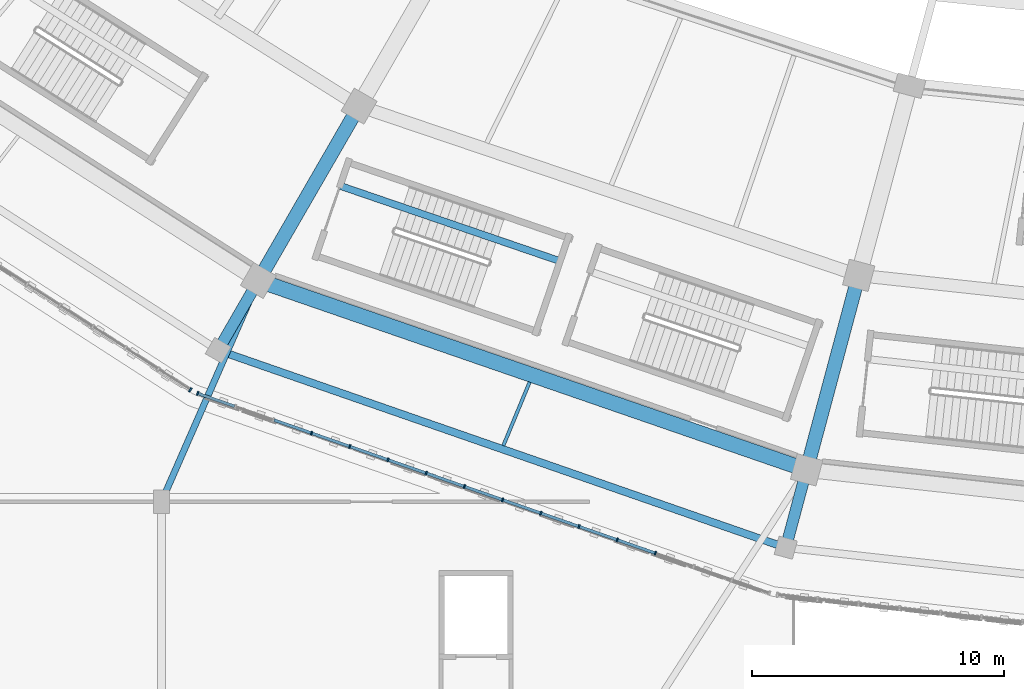
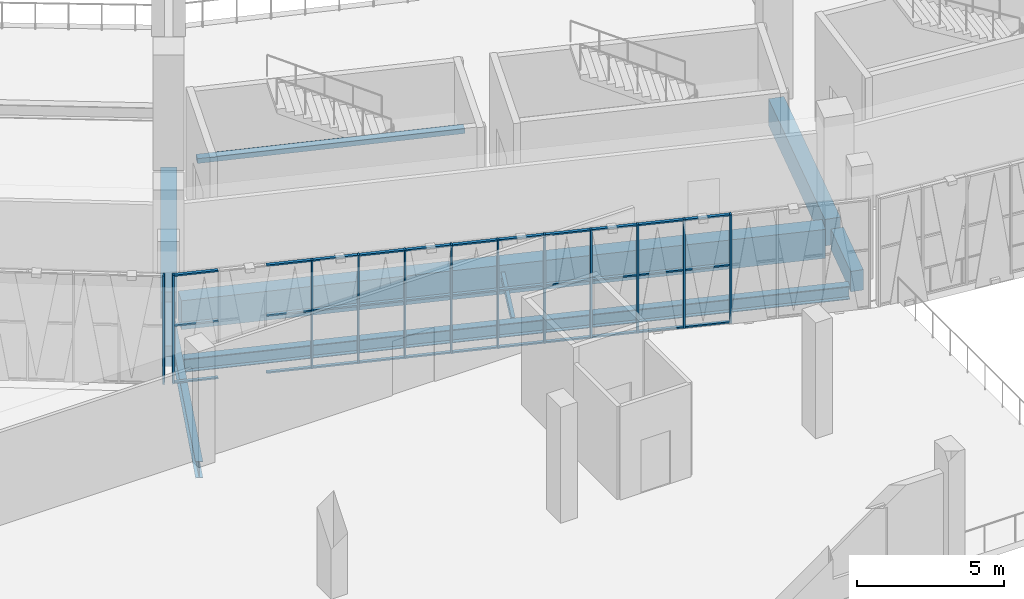
# One storey, part 15 of 179: 45 members, 9 beams, 2 elements without a shape of their own.
"""IFC4 building model written with IfcOpenShell, lengths in metres."""

from ifc_helpers import new_model, si_unit, direction, frame, origin, origin_2d, place, context, subcontext, project, spatial, rectangle, i_section, extrude, material, material_profile, profile_set, type_object, element, aggregate, save


model = new_model("IFC4")

# Units and contexts
model_context = context("Model", 3, precision=1e-05, world=origin(), true_north=direction((0.0, 1.0)))
body_context = subcontext(model_context, "Body", "Model", "MODEL_VIEW")
ifc_project = project(units=[si_unit("LENGTHUNIT", "METRE"), si_unit("AREAUNIT", "SQUARE_METRE"), si_unit("VOLUMEUNIT", "CUBIC_METRE"), si_unit("PLANEANGLEUNIT", "RADIAN"), si_unit("MASSUNIT", "GRAM", prefix="KILO")], contexts=[model_context])

# Site, building, storey
site_placement = place(None, origin())
site = spatial("IfcSite", under=ifc_project, at=site_placement, CompositionType="ELEMENT")
building_placement = place(site_placement, origin())
building = spatial("IfcBuilding", under=site, at=building_placement, Name="Zevraka Park Crest Stadium", CompositionType="ELEMENT")
storey_placement = place(building_placement, frame((0.0, 0.0, 10.199951171875)))
storey = spatial("IfcBuildingStorey", under=building, at=storey_placement, Name="L02", CompositionType="ELEMENT", Elevation=10.199951171875)

# Beams
ifc_material_1 = material(Name="Concrete C40/50", Category="concrete")
ifc_material_profile_1 = material_profile(ifc_material_1, rectangle(XDim=0.550048828125, YDim=1.10009765625, at=origin_2d()), Name="RC 1100x550")
ifc_profile_set_1 = profile_set([ifc_material_profile_1], Name="Concrete C40/50")
beam_type_1 = type_object("IfcBeamType", Name="BG02", PredefinedType="BEAM", material=ifc_profile_set_1)
beam_1_placement = place(storey_placement, frame((70.699951171875, 33.4560546875, -0.56005859375), z_axis=(-0.500031859608, -0.86600700885, 0.0), x_axis=(0.86600700885, -0.500031859608, 0.0)))
element("IfcBeam", 1, at=beam_1_placement, inside=storey, type_object=beam_type_1, Name="Radial Girder BG02 L02-CD-16", PredefinedType="BEAM", context=body_context, shape_type="SweptSolid", body=[
    extrude(rectangle(XDim=0.550048828125, YDim=1.10009765625, at=origin_2d()), origin(), (0.0, 0.0, 1.0), 7.3994140625),
])
beam_2_placement = place(storey_placement, frame((90.62109375, 26.702880859375, -0.56005859375), z_axis=(-0.258697599806, -0.965958359276, 0.0), x_axis=(0.965958359276, -0.258697599806, 0.0)))
element("IfcBeam", 2, at=beam_2_placement, inside=storey, type_object=beam_type_1, Name="Radial Girder BG02 L02-CD-17", PredefinedType="BEAM", context=body_context, shape_type="SweptSolid", body=[
    extrude(rectangle(XDim=0.550048828125, YDim=1.10009765625, at=origin_2d()), origin(), (0.0, 0.0, 1.0), 7.39892578125),
])
ifc_material_2 = material(Name="Concrete C40/50", Category="concrete")
ifc_material_profile_2 = material_profile(ifc_material_2, rectangle(XDim=0.449951171875, YDim=0.85009765625, at=origin_2d()), Name="RC 850x450")
ifc_profile_set_2 = profile_set([ifc_material_profile_2], Name="Concrete C40/50")
beam_type_2 = type_object("IfcBeamType", Name="BG03", PredefinedType="BEAM", material=ifc_profile_set_2)
beam_3_placement = place(storey_placement, frame((66.699951171875, 26.528076171875, -0.43505859375), z_axis=(-0.500128937424, -0.865950948929, 0.0), x_axis=(0.865950948929, -0.500128937424, 0.0)))
element("IfcBeam", 3, at=beam_3_placement, inside=storey, type_object=beam_type_2, Name="Radial Girder BG03 L02-DE-16", PredefinedType="BEAM", context=body_context, shape_type="SweptSolid", body=[
    extrude(rectangle(XDim=0.449951171875, YDim=0.85009765625, at=origin_2d()), origin(), (0.0, 0.0, 1.0), 2.599365234375),
])
beam_4_placement = place(storey_placement, frame((88.551025390625, 18.97607421875, -0.43505859375), z_axis=(-0.258919157159, -0.965898995784, 0.0), x_axis=(0.965898995784, -0.258919157159, 0.0)))
element("IfcBeam", 4, at=beam_4_placement, inside=storey, type_object=beam_type_2, Name="Radial Girder BG03 L02-DE-17", PredefinedType="BEAM", context=body_context, shape_type="SweptSolid", body=[
    extrude(rectangle(XDim=0.449951171875, YDim=0.85009765625, at=origin_2d()), origin(), (0.0, 0.0, 1.0), 2.599609375),
])
ifc_material_3 = material(Name="Steel S355", Category="steel")
ifc_material_profile_3 = material_profile(ifc_material_3, i_section(OverallWidth=0.253662109375, OverallDepth=0.68359375, WebThickness=0.012451171875, FlangeThickness=0.01904296875, at=origin_2d()), Name="UKB 686x254x140")
ifc_profile_set_3 = profile_set([ifc_material_profile_3], Name="Steel S355")
beam_type_3 = type_object("IfcBeamType", Name="BG05", PredefinedType="BEAM", material=ifc_profile_set_3)
beam_5_placement = place(storey_placement, frame((63.080078125, 18.18310546875, -0.629638671875), z_axis=(0.401335913167, 0.915930938883, 0.0), x_axis=(-0.915930938883, 0.401335913167, 0.0)))
element("IfcBeam", 5, at=beam_5_placement, inside=storey, type_object=beam_type_3, Name="Wing Link Girder BG05 L02-8/C", PredefinedType="BEAM", context=body_context, shape_type="SweptSolid", body=[
    extrude(i_section(OverallWidth=0.253662109375, OverallDepth=0.68359375, WebThickness=0.012451171875, FlangeThickness=0.01904296875, at=origin_2d()), origin(), (0.0, 0.0, 1.0), 9.0146484375),
])

# Curtain wall, members
ifc_material_4 = material(Name="Anodised architectural aluminium and laminated safety glass", Category="aluminium")
curtain_wall_type_1 = type_object("IfcCurtainWallType", Name="CW07", PredefinedType="NOTDEFINED", material=ifc_material_4)
curtain_wall_1_placement = place(storey_placement, origin())
curtain_wall_1 = element("IfcCurtainWall", 6, at=curtain_wall_1_placement, inside=storey, type_object=curtain_wall_type_1, Name="Unitised Ring Curtain Wall CW07 L02-16", PredefinedType="NOTDEFINED")
ifc_material_5 = material(Name="Anodised architectural aluminium", Category="aluminium")
ifc_material_profile_4 = material_profile(ifc_material_5, rectangle(XDim=0.159912109375, YDim=0.06005859375, at=origin_2d()), Name="ALU MULLION 160x60")
ifc_profile_set_4 = profile_set([ifc_material_profile_4], Name="Anodised architectural aluminium")
member_type_1 = type_object("IfcMemberType", Name="CM01", PredefinedType="MULLION", material=ifc_profile_set_4)
member_1_placement = place(storey_placement, frame((64.437255859375, 22.30419921875, 0.0), z_axis=(0.0, 0.0, 1.0), x_axis=(0.329618886002, 0.944114076789, 0.0)))
member_1 = element("IfcMember", 7, at=member_1_placement, type_object=member_type_1, Name="CW07 mullion 1", PredefinedType="MULLION", context=body_context, shape_type="SweptSolid", body=[
    extrude(rectangle(XDim=0.159912109375, YDim=0.06005859375, at=origin_2d()), origin(), (0.0, 0.0, 1.0), 4.5),
])
member_2_placement = place(storey_placement, frame((68.962646484375, 20.72412109375, 0.0), z_axis=(0.0, 0.0, 1.0), x_axis=(0.329618886002, 0.944114076789, 0.0)))
member_2 = element("IfcMember", 8, at=member_2_placement, type_object=member_type_1, Name="CW07 mullion 4", PredefinedType="MULLION", context=body_context, shape_type="SweptSolid", body=[
    extrude(rectangle(XDim=0.159912109375, YDim=0.06005859375, at=origin_2d()), origin(), (0.0, 0.0, 1.0), 4.5),
])
member_3_placement = place(storey_placement, frame((70.48046875, 20.1943359375, 0.0), z_axis=(0.0, 0.0, 1.0), x_axis=(0.329618886002, 0.944114076789, 0.0)))
member_3 = element("IfcMember", 9, at=member_3_placement, type_object=member_type_1, Name="CW07 mullion 5", PredefinedType="MULLION", context=body_context, shape_type="SweptSolid", body=[
    extrude(rectangle(XDim=0.159912109375, YDim=0.06005859375, at=origin_2d()), origin(), (0.0, 0.0, 1.0), 4.5),
])
member_4_placement = place(storey_placement, frame((71.998291015625, 19.664306640625, 0.0), z_axis=(0.0, 0.0, 1.0), x_axis=(0.329618886002, 0.944114076789, 0.0)))
member_4 = element("IfcMember", 10, at=member_4_placement, type_object=member_type_1, Name="CW07 mullion 6", PredefinedType="MULLION", context=body_context, shape_type="SweptSolid", body=[
    extrude(rectangle(XDim=0.159912109375, YDim=0.06005859375, at=origin_2d()), origin(), (0.0, 0.0, 1.0), 4.5),
])
member_5_placement = place(storey_placement, frame((73.51611328125, 19.134521484375, 0.0), z_axis=(0.0, 0.0, 1.0), x_axis=(0.329618886002, 0.944114076789, 0.0)))
member_5 = element("IfcMember", 11, at=member_5_placement, type_object=member_type_1, Name="CW07 mullion 7", PredefinedType="MULLION", context=body_context, shape_type="SweptSolid", body=[
    extrude(rectangle(XDim=0.159912109375, YDim=0.06005859375, at=origin_2d()), origin(), (0.0, 0.0, 1.0), 4.5),
])
member_6_placement = place(storey_placement, frame((75.0341796875, 18.6044921875, 0.0), z_axis=(0.0, 0.0, 1.0), x_axis=(0.329618886002, 0.944114076789, 0.0)))
member_6 = element("IfcMember", 12, at=member_6_placement, type_object=member_type_1, Name="CW07 mullion 8", PredefinedType="MULLION", context=body_context, shape_type="SweptSolid", body=[
    extrude(rectangle(XDim=0.159912109375, YDim=0.06005859375, at=origin_2d()), origin(), (0.0, 0.0, 1.0), 4.5),
])
member_7_placement = place(storey_placement, frame((76.552001953125, 18.074462890625, 0.0), z_axis=(0.0, 0.0, 1.0), x_axis=(0.329618886002, 0.944114076789, 0.0)))
member_7 = element("IfcMember", 13, at=member_7_placement, type_object=member_type_1, Name="CW07 mullion 9", PredefinedType="MULLION", context=body_context, shape_type="SweptSolid", body=[
    extrude(rectangle(XDim=0.159912109375, YDim=0.06005859375, at=origin_2d()), origin(), (0.0, 0.0, 1.0), 4.5),
])
member_8_placement = place(storey_placement, frame((78.06982421875, 17.544677734375, 0.0), z_axis=(0.0, 0.0, 1.0), x_axis=(0.329618886002, 0.944114076789, 0.0)))
member_8 = element("IfcMember", 14, at=member_8_placement, type_object=member_type_1, Name="CW07 mullion 10", PredefinedType="MULLION", context=body_context, shape_type="SweptSolid", body=[
    extrude(rectangle(XDim=0.159912109375, YDim=0.06005859375, at=origin_2d()), origin(), (0.0, 0.0, 1.0), 4.5),
])
member_9_placement = place(storey_placement, frame((79.587646484375, 17.0146484375, 0.0), z_axis=(0.0, 0.0, 1.0), x_axis=(0.329618886002, 0.944114076789, 0.0)))
member_9 = element("IfcMember", 15, at=member_9_placement, type_object=member_type_1, Name="CW07 mullion 11", PredefinedType="MULLION", context=body_context, shape_type="SweptSolid", body=[
    extrude(rectangle(XDim=0.159912109375, YDim=0.06005859375, at=origin_2d()), origin(), (0.0, 0.0, 1.0), 4.5),
])
member_10_placement = place(storey_placement, frame((81.10546875, 16.484619140625, 0.0), z_axis=(0.0, 0.0, 1.0), x_axis=(0.329618886002, 0.944114076789, 0.0)))
member_10 = element("IfcMember", 16, at=member_10_placement, type_object=member_type_1, Name="CW07 mullion 12", PredefinedType="MULLION", context=body_context, shape_type="SweptSolid", body=[
    extrude(rectangle(XDim=0.159912109375, YDim=0.06005859375, at=origin_2d()), origin(), (0.0, 0.0, 1.0), 4.5),
])
member_11_placement = place(storey_placement, frame((82.623291015625, 15.954833984375, 0.0), z_axis=(0.0, 0.0, 1.0), x_axis=(0.329618886002, 0.944114076789, 0.0)))
member_11 = element("IfcMember", 17, at=member_11_placement, type_object=member_type_1, Name="CW07 mullion 13", PredefinedType="MULLION", context=body_context, shape_type="SweptSolid", body=[
    extrude(rectangle(XDim=0.159912109375, YDim=0.06005859375, at=origin_2d()), origin(), (0.0, 0.0, 1.0), 4.5),
])

# Curtain wall, member
ifc_material_6 = material(Name="Anodised architectural aluminium and laminated safety glass", Category="aluminium")
curtain_wall_type_2 = type_object("IfcCurtainWallType", Name="CW08", PredefinedType="NOTDEFINED", material=ifc_material_6)
curtain_wall_2_placement = place(storey_placement, origin())
curtain_wall_2 = element("IfcCurtainWall", 18, at=curtain_wall_2_placement, inside=storey, type_object=curtain_wall_type_2, Name="Unitised Ring Curtain Wall CW08 L02-15", PredefinedType="NOTDEFINED")
ifc_material_7 = material(Name="Anodised architectural aluminium", Category="aluminium")
ifc_material_profile_5 = material_profile(ifc_material_7, rectangle(XDim=0.179931640625, YDim=0.06494140625, at=origin_2d()), Name="ALU MULLION 180x65")
ifc_profile_set_5 = profile_set([ifc_material_profile_5], Name="Anodised architectural aluminium")
member_type_2 = type_object("IfcMemberType", Name="CM02", PredefinedType="MULLION", material=ifc_profile_set_5)
member_12_placement = place(storey_placement, frame((64.148681640625, 22.445556640625, 0.0), z_axis=(0.0, 0.0, 1.0), x_axis=(0.543096287444, 0.839670424967, 0.0)))
member_12 = element("IfcMember", 19, at=member_12_placement, type_object=member_type_2, Name="CW08 mullion 16", PredefinedType="MULLION", context=body_context, shape_type="SweptSolid", body=[
    extrude(rectangle(XDim=0.179931640625, YDim=0.06494140625, at=origin_2d()), origin(), (0.0, 0.0, 1.0), 4.5),
])
aggregate(curtain_wall_2, [member_12])

# Member
ifc_material_8 = material(Name="Anodised architectural aluminium", Category="aluminium")
ifc_material_profile_6 = material_profile(ifc_material_8, rectangle(XDim=0.1201171875, YDim=0.06005859375, at=origin_2d()), Name="ALU TRANSOM 120x60")
ifc_profile_set_6 = profile_set([ifc_material_profile_6], Name="Anodised architectural aluminium")
member_type_3 = type_object("IfcMemberType", Name="CT01", PredefinedType="USERDEFINED", material=ifc_profile_set_6)
member_13_placement = place(storey_placement, frame((64.465576171875, 22.294189453125, 0.030029296875), z_axis=(0.944116383241, -0.329612279649, 0.0), x_axis=(0.329612279649, 0.944116383241, 0.0)))
member_13 = element("IfcMember", 20, at=member_13_placement, type_object=member_type_3, Name="CW07 transom 1.1", ObjectType="TRANSOM", PredefinedType="USERDEFINED", context=body_context, shape_type="SweptSolid", body=[
    extrude(rectangle(XDim=0.1201171875, YDim=0.06005859375, at=origin_2d()), origin(), (0.0, 0.0, 1.0), 1.517578125),
])

member_14_placement = place(storey_placement, frame((64.465576171875, 22.294189453125, 2.400146484375), z_axis=(0.944116383241, -0.329612279649, 0.0), x_axis=(0.329612279649, 0.944116383241, 0.0)))
member_14 = element("IfcMember", 21, at=member_14_placement, type_object=member_type_3, Name="CW07 transom 1.2", ObjectType="TRANSOM", PredefinedType="USERDEFINED", context=body_context, shape_type="SweptSolid", body=[
    extrude(rectangle(XDim=0.1201171875, YDim=0.06005859375, at=origin_2d()), origin(), (0.0, 0.0, 1.0), 1.517578125),
])

member_15_placement = place(storey_placement, frame((64.465576171875, 22.294189453125, 4.469970703125), z_axis=(0.944116383241, -0.329612279649, 0.0), x_axis=(0.329612279649, 0.944116383241, 0.0)))
member_15 = element("IfcMember", 22, at=member_15_placement, type_object=member_type_3, Name="CW07 transom 1.3", ObjectType="TRANSOM", PredefinedType="USERDEFINED", context=body_context, shape_type="SweptSolid", body=[
    extrude(rectangle(XDim=0.1201171875, YDim=0.06005859375, at=origin_2d()), origin(), (0.0, 0.0, 1.0), 1.517578125),
])

member_16_placement = place(storey_placement, frame((67.47314453125, 21.244140625, 0.030029296875), z_axis=(0.944140838297, -0.329542224094, 0.0), x_axis=(0.329542224094, 0.944140838297, 0.0)))
member_16 = element("IfcMember", 23, at=member_16_placement, type_object=member_type_3, Name="CW07 transom 3.1", ObjectType="TRANSOM", PredefinedType="USERDEFINED", context=body_context, shape_type="SweptSolid", body=[
    extrude(rectangle(XDim=0.1201171875, YDim=0.06005859375, at=origin_2d()), origin(), (0.0, 0.0, 1.0), 1.547607421875),
])

member_17_placement = place(storey_placement, frame((67.47314453125, 21.244140625, 2.400146484375), z_axis=(0.944140838297, -0.329542224094, 0.0), x_axis=(0.329542224094, 0.944140838297, 0.0)))
member_17 = element("IfcMember", 24, at=member_17_placement, type_object=member_type_3, Name="CW07 transom 3.2", ObjectType="TRANSOM", PredefinedType="USERDEFINED", context=body_context, shape_type="SweptSolid", body=[
    extrude(rectangle(XDim=0.1201171875, YDim=0.06005859375, at=origin_2d()), origin(), (0.0, 0.0, 1.0), 1.547607421875),
])

member_18_placement = place(storey_placement, frame((67.47314453125, 21.244140625, 4.469970703125), z_axis=(0.944140838297, -0.329542224094, 0.0), x_axis=(0.329542224094, 0.944140838297, 0.0)))
member_18 = element("IfcMember", 25, at=member_18_placement, type_object=member_type_3, Name="CW07 transom 3.3", ObjectType="TRANSOM", PredefinedType="USERDEFINED", context=body_context, shape_type="SweptSolid", body=[
    extrude(rectangle(XDim=0.1201171875, YDim=0.06005859375, at=origin_2d()), origin(), (0.0, 0.0, 1.0), 1.547607421875),
])

member_19_placement = place(storey_placement, frame((68.990966796875, 20.71435546875, 0.030029296875), z_axis=(0.944091748578, -0.329682832837, 0.0), x_axis=(0.329682832837, 0.944091748578, 0.0)))
member_19 = element("IfcMember", 26, at=member_19_placement, type_object=member_type_3, Name="CW07 transom 4.1", ObjectType="TRANSOM", PredefinedType="USERDEFINED", context=body_context, shape_type="SweptSolid", body=[
    extrude(rectangle(XDim=0.1201171875, YDim=0.06005859375, at=origin_2d()), origin(), (0.0, 0.0, 1.0), 1.547607421875),
])

member_20_placement = place(storey_placement, frame((68.990966796875, 20.71435546875, 2.400146484375), z_axis=(0.944091748578, -0.329682832837, 0.0), x_axis=(0.329682832837, 0.944091748578, 0.0)))
member_20 = element("IfcMember", 27, at=member_20_placement, type_object=member_type_3, Name="CW07 transom 4.2", ObjectType="TRANSOM", PredefinedType="USERDEFINED", context=body_context, shape_type="SweptSolid", body=[
    extrude(rectangle(XDim=0.1201171875, YDim=0.06005859375, at=origin_2d()), origin(), (0.0, 0.0, 1.0), 1.547607421875),
])

member_21_placement = place(storey_placement, frame((68.990966796875, 20.71435546875, 4.469970703125), z_axis=(0.944091748578, -0.329682832837, 0.0), x_axis=(0.329682832837, 0.944091748578, 0.0)))
member_21 = element("IfcMember", 28, at=member_21_placement, type_object=member_type_3, Name="CW07 transom 4.3", ObjectType="TRANSOM", PredefinedType="USERDEFINED", context=body_context, shape_type="SweptSolid", body=[
    extrude(rectangle(XDim=0.1201171875, YDim=0.06005859375, at=origin_2d()), origin(), (0.0, 0.0, 1.0), 1.547607421875),
])

member_22_placement = place(storey_placement, frame((70.5087890625, 20.184326171875, 0.030029296875), z_axis=(0.944140838297, -0.329542224094, 0.0), x_axis=(0.329542224094, 0.944140838297, 0.0)))
member_22 = element("IfcMember", 29, at=member_22_placement, type_object=member_type_3, Name="CW07 transom 5.1", ObjectType="TRANSOM", PredefinedType="USERDEFINED", context=body_context, shape_type="SweptSolid", body=[
    extrude(rectangle(XDim=0.1201171875, YDim=0.06005859375, at=origin_2d()), origin(), (0.0, 0.0, 1.0), 1.547607421875),
])

member_23_placement = place(storey_placement, frame((70.5087890625, 20.184326171875, 2.400146484375), z_axis=(0.944140838297, -0.329542224094, 0.0), x_axis=(0.329542224094, 0.944140838297, 0.0)))
member_23 = element("IfcMember", 30, at=member_23_placement, type_object=member_type_3, Name="CW07 transom 5.2", ObjectType="TRANSOM", PredefinedType="USERDEFINED", context=body_context, shape_type="SweptSolid", body=[
    extrude(rectangle(XDim=0.1201171875, YDim=0.06005859375, at=origin_2d()), origin(), (0.0, 0.0, 1.0), 1.547607421875),
])

member_24_placement = place(storey_placement, frame((70.5087890625, 20.184326171875, 4.469970703125), z_axis=(0.944140838297, -0.329542224094, 0.0), x_axis=(0.329542224094, 0.944140838297, 0.0)))
member_24 = element("IfcMember", 31, at=member_24_placement, type_object=member_type_3, Name="CW07 transom 5.3", ObjectType="TRANSOM", PredefinedType="USERDEFINED", context=body_context, shape_type="SweptSolid", body=[
    extrude(rectangle(XDim=0.1201171875, YDim=0.06005859375, at=origin_2d()), origin(), (0.0, 0.0, 1.0), 1.547607421875),
])

member_25_placement = place(storey_placement, frame((72.026611328125, 19.654541015625, 0.030029296875), z_axis=(0.944091748578, -0.329682832837, 0.0), x_axis=(0.329682832837, 0.944091748578, 0.0)))
member_25 = element("IfcMember", 32, at=member_25_placement, type_object=member_type_3, Name="CW07 transom 6.1", ObjectType="TRANSOM", PredefinedType="USERDEFINED", context=body_context, shape_type="SweptSolid", body=[
    extrude(rectangle(XDim=0.1201171875, YDim=0.06005859375, at=origin_2d()), origin(), (0.0, 0.0, 1.0), 1.547607421875),
])

member_26_placement = place(storey_placement, frame((72.026611328125, 19.654541015625, 2.400146484375), z_axis=(0.944091748578, -0.329682832837, 0.0), x_axis=(0.329682832837, 0.944091748578, 0.0)))
member_26 = element("IfcMember", 33, at=member_26_placement, type_object=member_type_3, Name="CW07 transom 6.2", ObjectType="TRANSOM", PredefinedType="USERDEFINED", context=body_context, shape_type="SweptSolid", body=[
    extrude(rectangle(XDim=0.1201171875, YDim=0.06005859375, at=origin_2d()), origin(), (0.0, 0.0, 1.0), 1.547607421875),
])

member_27_placement = place(storey_placement, frame((72.026611328125, 19.654541015625, 4.469970703125), z_axis=(0.944091748578, -0.329682832837, 0.0), x_axis=(0.329682832837, 0.944091748578, 0.0)))
member_27 = element("IfcMember", 34, at=member_27_placement, type_object=member_type_3, Name="CW07 transom 6.3", ObjectType="TRANSOM", PredefinedType="USERDEFINED", context=body_context, shape_type="SweptSolid", body=[
    extrude(rectangle(XDim=0.1201171875, YDim=0.06005859375, at=origin_2d()), origin(), (0.0, 0.0, 1.0), 1.547607421875),
])

member_28_placement = place(storey_placement, frame((73.54443359375, 19.12451171875, 0.030029296875), z_axis=(0.944108889955, -0.329633742066, 0.0), x_axis=(0.329633742066, 0.944108889955, 0.0)))
member_28 = element("IfcMember", 35, at=member_28_placement, type_object=member_type_3, Name="CW07 transom 7.1", ObjectType="TRANSOM", PredefinedType="USERDEFINED", context=body_context, shape_type="SweptSolid", body=[
    extrude(rectangle(XDim=0.1201171875, YDim=0.06005859375, at=origin_2d()), origin(), (0.0, 0.0, 1.0), 1.5478515625),
])

member_29_placement = place(storey_placement, frame((73.54443359375, 19.12451171875, 2.400146484375), z_axis=(0.944108889955, -0.329633742066, 0.0), x_axis=(0.329633742066, 0.944108889955, 0.0)))
member_29 = element("IfcMember", 36, at=member_29_placement, type_object=member_type_3, Name="CW07 transom 7.2", ObjectType="TRANSOM", PredefinedType="USERDEFINED", context=body_context, shape_type="SweptSolid", body=[
    extrude(rectangle(XDim=0.1201171875, YDim=0.06005859375, at=origin_2d()), origin(), (0.0, 0.0, 1.0), 1.5478515625),
])

member_30_placement = place(storey_placement, frame((73.54443359375, 19.12451171875, 4.469970703125), z_axis=(0.944108889955, -0.329633742066, 0.0), x_axis=(0.329633742066, 0.944108889955, 0.0)))
member_30 = element("IfcMember", 37, at=member_30_placement, type_object=member_type_3, Name="CW07 transom 7.3", ObjectType="TRANSOM", PredefinedType="USERDEFINED", context=body_context, shape_type="SweptSolid", body=[
    extrude(rectangle(XDim=0.1201171875, YDim=0.06005859375, at=origin_2d()), origin(), (0.0, 0.0, 1.0), 1.5478515625),
])

member_31_placement = place(storey_placement, frame((75.0625, 18.594482421875, 0.030029296875), z_axis=(0.944140838297, -0.329542224094, 0.0), x_axis=(0.329542224094, 0.944140838297, 0.0)))
member_31 = element("IfcMember", 38, at=member_31_placement, type_object=member_type_3, Name="CW07 transom 8.1", ObjectType="TRANSOM", PredefinedType="USERDEFINED", context=body_context, shape_type="SweptSolid", body=[
    extrude(rectangle(XDim=0.1201171875, YDim=0.06005859375, at=origin_2d()), origin(), (0.0, 0.0, 1.0), 1.547607421875),
])

member_32_placement = place(storey_placement, frame((75.0625, 18.594482421875, 2.400146484375), z_axis=(0.944140838297, -0.329542224094, 0.0), x_axis=(0.329542224094, 0.944140838297, 0.0)))
member_32 = element("IfcMember", 39, at=member_32_placement, type_object=member_type_3, Name="CW07 transom 8.2", ObjectType="TRANSOM", PredefinedType="USERDEFINED", context=body_context, shape_type="SweptSolid", body=[
    extrude(rectangle(XDim=0.1201171875, YDim=0.06005859375, at=origin_2d()), origin(), (0.0, 0.0, 1.0), 1.547607421875),
])

member_33_placement = place(storey_placement, frame((75.0625, 18.594482421875, 4.469970703125), z_axis=(0.944140838297, -0.329542224094, 0.0), x_axis=(0.329542224094, 0.944140838297, 0.0)))
member_33 = element("IfcMember", 40, at=member_33_placement, type_object=member_type_3, Name="CW07 transom 8.3", ObjectType="TRANSOM", PredefinedType="USERDEFINED", context=body_context, shape_type="SweptSolid", body=[
    extrude(rectangle(XDim=0.1201171875, YDim=0.06005859375, at=origin_2d()), origin(), (0.0, 0.0, 1.0), 1.547607421875),
])

member_34_placement = place(storey_placement, frame((76.580322265625, 18.064697265625, 0.030029296875), z_axis=(0.944091748578, -0.329682832837, 0.0), x_axis=(0.329682832837, 0.944091748578, 0.0)))
member_34 = element("IfcMember", 41, at=member_34_placement, type_object=member_type_3, Name="CW07 transom 9.1", ObjectType="TRANSOM", PredefinedType="USERDEFINED", context=body_context, shape_type="SweptSolid", body=[
    extrude(rectangle(XDim=0.1201171875, YDim=0.06005859375, at=origin_2d()), origin(), (0.0, 0.0, 1.0), 1.547607421875),
])

member_35_placement = place(storey_placement, frame((76.580322265625, 18.064697265625, 2.400146484375), z_axis=(0.944091748578, -0.329682832837, 0.0), x_axis=(0.329682832837, 0.944091748578, 0.0)))
member_35 = element("IfcMember", 42, at=member_35_placement, type_object=member_type_3, Name="CW07 transom 9.2", ObjectType="TRANSOM", PredefinedType="USERDEFINED", context=body_context, shape_type="SweptSolid", body=[
    extrude(rectangle(XDim=0.1201171875, YDim=0.06005859375, at=origin_2d()), origin(), (0.0, 0.0, 1.0), 1.547607421875),
])

member_36_placement = place(storey_placement, frame((76.580322265625, 18.064697265625, 4.469970703125), z_axis=(0.944091748578, -0.329682832837, 0.0), x_axis=(0.329682832837, 0.944091748578, 0.0)))
member_36 = element("IfcMember", 43, at=member_36_placement, type_object=member_type_3, Name="CW07 transom 9.3", ObjectType="TRANSOM", PredefinedType="USERDEFINED", context=body_context, shape_type="SweptSolid", body=[
    extrude(rectangle(XDim=0.1201171875, YDim=0.06005859375, at=origin_2d()), origin(), (0.0, 0.0, 1.0), 1.547607421875),
])

member_37_placement = place(storey_placement, frame((78.09814453125, 17.53466796875, 0.030029296875), z_axis=(0.944140838297, -0.329542224094, 0.0), x_axis=(0.329542224094, 0.944140838297, 0.0)))
member_37 = element("IfcMember", 44, at=member_37_placement, type_object=member_type_3, Name="CW07 transom 10.1", ObjectType="TRANSOM", PredefinedType="USERDEFINED", context=body_context, shape_type="SweptSolid", body=[
    extrude(rectangle(XDim=0.1201171875, YDim=0.06005859375, at=origin_2d()), origin(), (0.0, 0.0, 1.0), 1.547607421875),
])

member_38_placement = place(storey_placement, frame((78.09814453125, 17.53466796875, 2.400146484375), z_axis=(0.944140838297, -0.329542224094, 0.0), x_axis=(0.329542224094, 0.944140838297, 0.0)))
member_38 = element("IfcMember", 45, at=member_38_placement, type_object=member_type_3, Name="CW07 transom 10.2", ObjectType="TRANSOM", PredefinedType="USERDEFINED", context=body_context, shape_type="SweptSolid", body=[
    extrude(rectangle(XDim=0.1201171875, YDim=0.06005859375, at=origin_2d()), origin(), (0.0, 0.0, 1.0), 1.547607421875),
])

member_39_placement = place(storey_placement, frame((78.09814453125, 17.53466796875, 4.469970703125), z_axis=(0.944140838297, -0.329542224094, 0.0), x_axis=(0.329542224094, 0.944140838297, 0.0)))
member_39 = element("IfcMember", 46, at=member_39_placement, type_object=member_type_3, Name="CW07 transom 10.3", ObjectType="TRANSOM", PredefinedType="USERDEFINED", context=body_context, shape_type="SweptSolid", body=[
    extrude(rectangle(XDim=0.1201171875, YDim=0.06005859375, at=origin_2d()), origin(), (0.0, 0.0, 1.0), 1.547607421875),
])

member_40_placement = place(storey_placement, frame((79.615966796875, 17.0048828125, 0.030029296875), z_axis=(0.944091748578, -0.329682832837, 0.0), x_axis=(0.329682832837, 0.944091748578, 0.0)))
member_40 = element("IfcMember", 47, at=member_40_placement, type_object=member_type_3, Name="CW07 transom 11.1", ObjectType="TRANSOM", PredefinedType="USERDEFINED", context=body_context, shape_type="SweptSolid", body=[
    extrude(rectangle(XDim=0.1201171875, YDim=0.06005859375, at=origin_2d()), origin(), (0.0, 0.0, 1.0), 1.547607421875),
])

member_41_placement = place(storey_placement, frame((79.615966796875, 17.0048828125, 2.400146484375), z_axis=(0.944091748578, -0.329682832837, 0.0), x_axis=(0.329682832837, 0.944091748578, 0.0)))
member_41 = element("IfcMember", 48, at=member_41_placement, type_object=member_type_3, Name="CW07 transom 11.2", ObjectType="TRANSOM", PredefinedType="USERDEFINED", context=body_context, shape_type="SweptSolid", body=[
    extrude(rectangle(XDim=0.1201171875, YDim=0.06005859375, at=origin_2d()), origin(), (0.0, 0.0, 1.0), 1.547607421875),
])

member_42_placement = place(storey_placement, frame((79.615966796875, 17.0048828125, 4.469970703125), z_axis=(0.944091748578, -0.329682832837, 0.0), x_axis=(0.329682832837, 0.944091748578, 0.0)))
member_42 = element("IfcMember", 49, at=member_42_placement, type_object=member_type_3, Name="CW07 transom 11.3", ObjectType="TRANSOM", PredefinedType="USERDEFINED", context=body_context, shape_type="SweptSolid", body=[
    extrude(rectangle(XDim=0.1201171875, YDim=0.06005859375, at=origin_2d()), origin(), (0.0, 0.0, 1.0), 1.547607421875),
])

member_43_placement = place(storey_placement, frame((81.1337890625, 16.474853515625, 0.030029296875), z_axis=(0.944091748578, -0.329682832837, 0.0), x_axis=(0.329682832837, 0.944091748578, 0.0)))
member_43 = element("IfcMember", 50, at=member_43_placement, type_object=member_type_3, Name="CW07 transom 12.1", ObjectType="TRANSOM", PredefinedType="USERDEFINED", context=body_context, shape_type="SweptSolid", body=[
    extrude(rectangle(XDim=0.1201171875, YDim=0.06005859375, at=origin_2d()), origin(), (0.0, 0.0, 1.0), 1.547607421875),
])

member_44_placement = place(storey_placement, frame((81.1337890625, 16.474853515625, 2.400146484375), z_axis=(0.944091748578, -0.329682832837, 0.0), x_axis=(0.329682832837, 0.944091748578, 0.0)))
member_44 = element("IfcMember", 51, at=member_44_placement, type_object=member_type_3, Name="CW07 transom 12.2", ObjectType="TRANSOM", PredefinedType="USERDEFINED", context=body_context, shape_type="SweptSolid", body=[
    extrude(rectangle(XDim=0.1201171875, YDim=0.06005859375, at=origin_2d()), origin(), (0.0, 0.0, 1.0), 1.547607421875),
])

member_45_placement = place(storey_placement, frame((81.1337890625, 16.474853515625, 4.469970703125), z_axis=(0.944091748578, -0.329682832837, 0.0), x_axis=(0.329682832837, 0.944091748578, 0.0)))
member_45 = element("IfcMember", 52, at=member_45_placement, type_object=member_type_3, Name="CW07 transom 12.3", ObjectType="TRANSOM", PredefinedType="USERDEFINED", context=body_context, shape_type="SweptSolid", body=[
    extrude(rectangle(XDim=0.1201171875, YDim=0.06005859375, at=origin_2d()), origin(), (0.0, 0.0, 1.0), 1.547607421875),
])

aggregate(curtain_wall_1, [member_1, member_2, member_3, member_4, member_5, member_6, member_7, member_8, member_9, member_10, member_11, member_13, member_14, member_15, member_16, member_17, member_18, member_19, member_20, member_21, member_22, member_23, member_24, member_25, member_26, member_27, member_28, member_29, member_30, member_31, member_32, member_33, member_34, member_35, member_36, member_37, member_38, member_39, member_40, member_41, member_42, member_43, member_44, member_45])

# Beams
ifc_material_9 = material(Name="Concrete C40/50", Category="concrete")
ifc_material_profile_7 = material_profile(ifc_material_9, rectangle(XDim=0.60009765625, YDim=1.199951171875, at=origin_2d()), Name="RC 1200x600")
ifc_profile_set_7 = profile_set([ifc_material_profile_7], Name="Concrete C40/50")
beam_type_4 = type_object("IfcBeamType", Name="RB01", PredefinedType="BEAM", material=ifc_profile_set_7)
beam_6_placement = place(storey_placement, frame((67.208984375, 26.6640625, -0.60986328125), z_axis=(0.945210431582, -0.326461697644, 0.0), x_axis=(0.326461697644, 0.945210431582, 0.0)))
element("IfcBeam", 53, at=beam_6_placement, inside=storey, type_object=beam_type_4, Name="Ring Beam RB01 L02-D-16", PredefinedType="BEAM", context=body_context, shape_type="SweptSolid", body=[
    extrude(rectangle(XDim=0.60009765625, YDim=1.199951171875, at=origin_2d()), origin(), (0.0, 0.0, 1.0), 22.28173828125),
])
ifc_material_10 = material(Name="Steel S355", Category="steel")
ifc_material_profile_8 = material_profile(ifc_material_10, i_section(OverallWidth=0.300048828125, OverallDepth=0.550048828125, WebThickness=0.014892578125, FlangeThickness=0.029052734375, at=origin_2d()), Name="HEB 550")
ifc_profile_set_8 = profile_set([ifc_material_profile_8], Name="Steel S355")
beam_type_5 = type_object("IfcBeamType", Name="RB04", PredefinedType="BEAM", material=ifc_profile_set_8)
beam_7_placement = place(storey_placement, frame((65.5810546875, 23.902099609375, -0.5849609375), z_axis=(0.944512003331, -0.328476902634, 0.0), x_axis=(0.328476902634, 0.944512003331, 0.0)))
element("IfcBeam", 54, at=beam_7_placement, inside=storey, type_object=beam_type_5, Name="Ring Beam RB04 L02-E-16", PredefinedType="BEAM", context=body_context, shape_type="SweptSolid", body=[
    extrude(i_section(OverallWidth=0.300048828125, OverallDepth=0.550048828125, WebThickness=0.014892578125, FlangeThickness=0.029052734375, at=origin_2d()), origin(), (0.0, 0.0, 1.0), 23.173828125),
])
ifc_material_11 = material(Name="Steel S355", Category="steel")
ifc_material_profile_9 = material_profile(ifc_material_11, i_section(OverallWidth=0.135009765625, OverallDepth=0.27001953125, WebThickness=0.006591796875, FlangeThickness=0.01025390625, at=origin_2d()), Name="IPE 270")
ifc_profile_set_9 = profile_set([ifc_material_profile_9], Name="Steel S355")
beam_type_6 = type_object("IfcBeamType", Name="SJ07", PredefinedType="JOIST", material=ifc_profile_set_9)
beam_8_placement = place(storey_placement, frame((77.626953125, 22.75390625, -0.4228515625), z_axis=(-0.3828253139, -0.923820750491, 0.0), x_axis=(0.923820750491, -0.3828253139, 0.0)))
element("IfcBeam", 55, at=beam_8_placement, inside=storey, type_object=beam_type_6, Name="Floor Joist SJ07 L02-DE-16-1", PredefinedType="JOIST", context=body_context, shape_type="SweptSolid", body=[
    extrude(i_section(OverallWidth=0.135009765625, OverallDepth=0.27001953125, WebThickness=0.006591796875, FlangeThickness=0.01025390625, at=origin_2d()), origin(), (0.0, 0.0, 1.0), 2.73193359375),
])
ifc_material_12 = material(Name="Concrete C40/50", Category="concrete")
ifc_material_profile_10 = material_profile(ifc_material_12, rectangle(XDim=0.280029296875, YDim=0.199951171875, at=origin_2d()), Name="RC 200x280")
ifc_profile_set_10 = profile_set([ifc_material_profile_10], Name="Concrete C40/50")
beam_type_7 = type_object("IfcBeamType", Name="SJ13", PredefinedType="JOIST", material=ifc_profile_set_10)
beam_9_placement = place(storey_placement, frame((70.117919921875, 30.542236328125, 2.300048828125), z_axis=(0.946065027556, -0.323976794902, 0.0), x_axis=(0.323976794902, 0.946065027556, 0.0)))
element("IfcBeam", 56, at=beam_9_placement, inside=storey, type_object=beam_type_7, Name="Stair Upper-Flight Longitudinal Stringer SJ13 ST17-L02", PredefinedType="JOIST", context=body_context, shape_type="SweptSolid", body=[
    extrude(rectangle(XDim=0.280029296875, YDim=0.199951171875, at=origin_2d()), origin(), (0.0, 0.0, 1.0), 9.250244140625),
])

save(model, "model.ifc")
